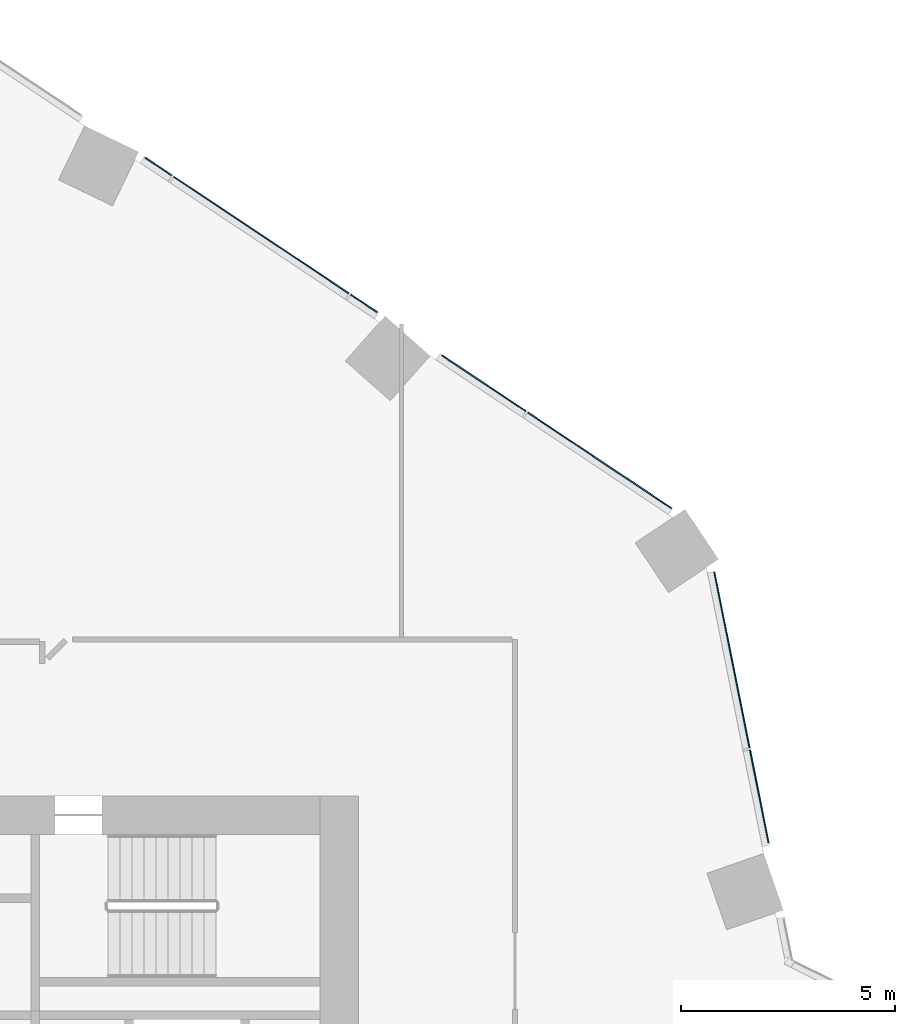
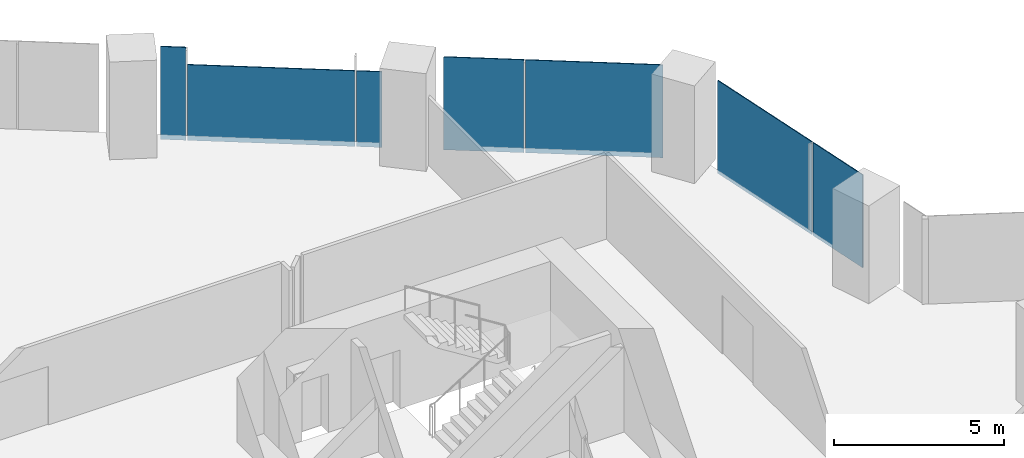
# One storey, part 25 of 38: 7 plates, 2 elements without a shape of their own.
"""IFC4 building model written with IfcOpenShell, lengths in metres."""

from ifc_helpers import new_model, si_unit, direction, frame, origin, origin_2d, place, context, subcontext, project, spatial, rectangle, extrude, material, layer, layer_set, type_object, element, aggregate, save


model = new_model("IFC4")

# Units and contexts
model_context = context("Model", 3, precision=1e-05, world=origin(), true_north=direction((0.0, 1.0)))
body_context = subcontext(model_context, "Body", "Model", "MODEL_VIEW")
ifc_project = project(units=[si_unit("LENGTHUNIT", "METRE"), si_unit("AREAUNIT", "SQUARE_METRE"), si_unit("VOLUMEUNIT", "CUBIC_METRE"), si_unit("PLANEANGLEUNIT", "RADIAN"), si_unit("MASSUNIT", "GRAM", prefix="KILO")], contexts=[model_context])

# Site, building, storey
site_placement = place(None, origin())
site = spatial("IfcSite", under=ifc_project, at=site_placement, CompositionType="ELEMENT")
building_placement = place(site_placement, origin())
building = spatial("IfcBuilding", under=site, at=building_placement, Name="Orlundy Tower", CompositionType="ELEMENT")
storey_placement = place(building_placement, frame((0.0, 0.0, 72.800048828125)))
storey = spatial("IfcBuildingStorey", under=building, at=storey_placement, Name="L17", CompositionType="ELEMENT", Elevation=72.800048828125)

# Curtain wall, plates
ifc_material_1 = material(Name="Aluminium bronze anodised", Category="aluminium")
curtain_wall_type = type_object("IfcCurtainWallType", Name="CW1 wall", PredefinedType="NOTDEFINED", material=ifc_material_1)
curtain_wall_1_placement = place(storey_placement, origin())
curtain_wall_1 = element("IfcCurtainWall", 1, at=curtain_wall_1_placement, inside=storey, type_object=curtain_wall_type, Name="CW1 run 016", PredefinedType="NOTDEFINED")
ifc_material_2 = material(Name="Tinted glass", Category="glass")
ifc_layer = layer(ifc_material_2, 0.031982421875)
ifc_layer_set = layer_set([ifc_layer], Name="CW1 glass panel 32")
plate_type = type_object("IfcPlateType", Name="CW1 glass panel 32", PredefinedType="CURTAIN_PANEL", material=ifc_layer_set)
plate_1_placement = place(storey_placement, frame((14.322265625, 26.703369140625, -0.280029296875), z_axis=(0.0, 0.0, 1.0), x_axis=(0.832279269513, -0.554356579774, 0.0)))
plate_1 = element("IfcPlate", 2, at=plate_1_placement, type_object=plate_type, Name="CW1 panel", PredefinedType="CURTAIN_PANEL", context=body_context, shape_type="SweptSolid", body=[
    extrude(rectangle(XDim=0.745849609375, YDim=0.031982421875, at=origin_2d()), origin(), (0.0, 0.0, 1.0), 3.330078125),
])
plate_2_placement = place(storey_placement, frame((16.721923828125, 25.10498046875, -0.280029296875), z_axis=(0.0, 0.0, 1.0), x_axis=(0.832279269513, -0.554356579774, 0.0)))
plate_2 = element("IfcPlate", 3, at=plate_2_placement, type_object=plate_type, Name="CW1 panel", PredefinedType="CURTAIN_PANEL", context=body_context, shape_type="SweptSolid", body=[
    extrude(rectangle(XDim=4.92041015625, YDim=0.031982421875, at=origin_2d()), origin(), (0.0, 0.0, 1.0), 2.7138671875),
])
plate_3_placement = place(storey_placement, frame((19.12158203125, 23.506591796875, -0.280029296875), z_axis=(0.0, 0.0, 1.0), x_axis=(0.832279269513, -0.554356579774, 0.0)))
plate_3 = element("IfcPlate", 4, at=plate_3_placement, type_object=plate_type, Name="CW1 panel", PredefinedType="CURTAIN_PANEL", context=body_context, shape_type="SweptSolid", body=[
    extrude(rectangle(XDim=0.74609375, YDim=0.031982421875, at=origin_2d()), origin(), (0.0, 0.0, 1.0), 2.7138671875),
])
plate_4_placement = place(storey_placement, frame((21.92529296875, 21.63916015625, -0.280029296875), z_axis=(0.0, 0.0, 1.0), x_axis=(0.832279269513, -0.554356579774, 0.0)))
plate_4 = element("IfcPlate", 5, at=plate_4_placement, type_object=plate_type, Name="CW1 panel", PredefinedType="CURTAIN_PANEL", context=body_context, shape_type="SweptSolid", body=[
    extrude(rectangle(XDim=2.357421875, YDim=0.031982421875, at=origin_2d()), origin(), (0.0, 0.0, 1.0), 3.330078125),
])
plate_5_placement = place(storey_placement, frame((24.629150390625, 19.83837890625, -0.280029296875), z_axis=(0.0, 0.0, 1.0), x_axis=(0.832279269513, -0.554356579774, 0.0)))
plate_5 = element("IfcPlate", 6, at=plate_5_placement, type_object=plate_type, Name="CW1 panel", PredefinedType="CURTAIN_PANEL", context=body_context, shape_type="SweptSolid", body=[
    extrude(rectangle(XDim=4.039794921875, YDim=0.031982421875, at=origin_2d()), origin(), (0.0, 0.0, 1.0), 3.330078125),
])
aggregate(curtain_wall_1, [plate_1, plate_2, plate_3, plate_4, plate_5])

curtain_wall_2_placement = place(storey_placement, origin())
curtain_wall_2 = element("IfcCurtainWall", 7, at=curtain_wall_2_placement, inside=storey, type_object=curtain_wall_type, Name="CW1 run 017", PredefinedType="NOTDEFINED")
plate_6_placement = place(storey_placement, frame((27.723388671875, 15.17041015625, -0.280029296875), z_axis=(0.0, 0.0, 1.0), x_axis=(0.196529373401, -0.980497937474, 0.0)))
plate_6 = element("IfcPlate", 8, at=plate_6_placement, type_object=plate_type, Name="CW1 panel", PredefinedType="CURTAIN_PANEL", context=body_context, shape_type="SweptSolid", body=[
    extrude(rectangle(XDim=4.18701171875, YDim=0.031982421875, at=origin_2d()), origin(), (0.0, 0.0, 1.0), 3.330078125),
])
plate_7_placement = place(storey_placement, frame((28.36181640625, 11.985595703125, -0.280029296875), z_axis=(0.0, 0.0, 1.0), x_axis=(0.196529373401, -0.980497937474, 0.0)))
plate_7 = element("IfcPlate", 9, at=plate_7_placement, type_object=plate_type, Name="CW1 panel", PredefinedType="CURTAIN_PANEL", context=body_context, shape_type="SweptSolid", body=[
    extrude(rectangle(XDim=2.20947265625, YDim=0.031982421875, at=origin_2d()), origin(), (0.0, 0.0, 1.0), 3.330078125),
])
aggregate(curtain_wall_2, [plate_6, plate_7])

save(model, "model.ifc")
